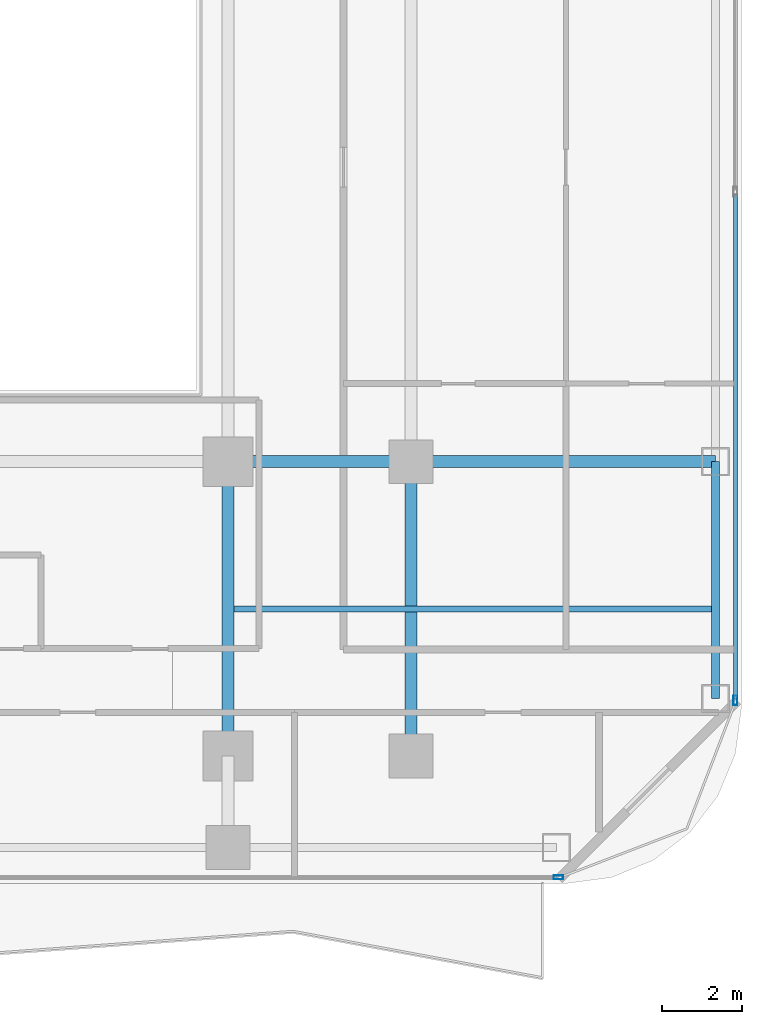
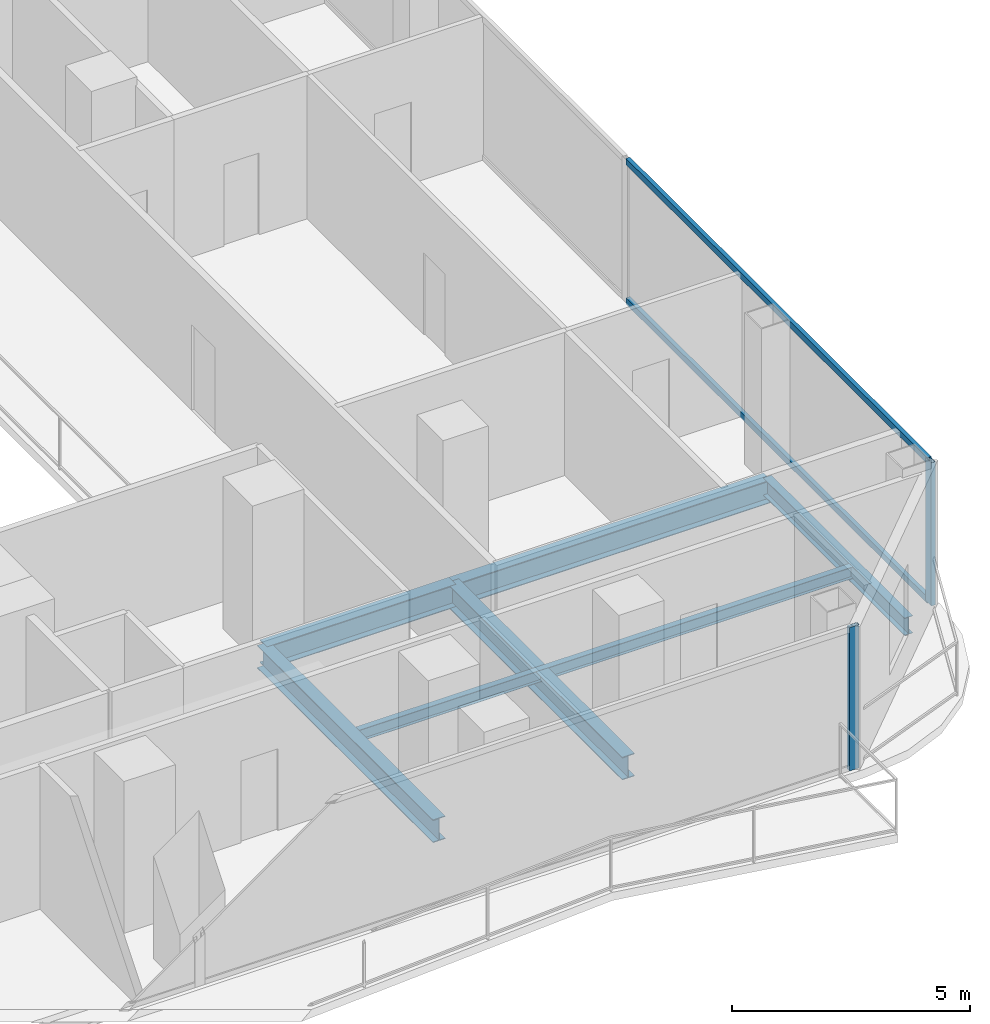
# One storey, part 9 of 26: 6 beams, 4 members, 2 elements without a shape of their own.
"""IFC4 building model written with IfcOpenShell, lengths in metres."""

from ifc_helpers import new_model, si_unit, direction, frame, origin, origin_2d, place, context, subcontext, project, spatial, hollow_rectangle, i_section, extrude, material, layer, layer_set, material_profile, profile_set, type_object, element, aggregate, save


model = new_model("IFC4")

# Units and contexts
model_context = context("Model", 3, precision=1e-05, world=origin(), true_north=direction((0.0, 1.0)))
body_context = subcontext(model_context, "Body", "Model", "MODEL_VIEW")
ifc_project = project(units=[si_unit("LENGTHUNIT", "METRE"), si_unit("AREAUNIT", "SQUARE_METRE"), si_unit("VOLUMEUNIT", "CUBIC_METRE"), si_unit("PLANEANGLEUNIT", "RADIAN"), si_unit("MASSUNIT", "GRAM", prefix="KILO")], contexts=[model_context])

# Site, building, storey
site_placement = place(None, origin())
site = spatial("IfcSite", under=ifc_project, at=site_placement, CompositionType="ELEMENT")
building_placement = place(site_placement, origin())
building = spatial("IfcBuilding", under=site, at=building_placement, Name="Khorvyn Point Tower", CompositionType="ELEMENT")
storey_placement = place(building_placement, frame((0.0, 0.0, 113.39990234375)))
storey = spatial("IfcBuildingStorey", under=building, at=storey_placement, Name="L28", CompositionType="ELEMENT", Elevation=113.39990234375)

# Curtain wall, member
ifc_material_1 = material(Name="Anodised aluminium 6063-T6 and laminated Low-E glass", Category="aluminium")
ifc_layer = layer(ifc_material_1, 0.18994140625)
ifc_layer_set = layer_set([ifc_layer], Name="Stick-Built Acoustic Curtain Wall CW-SYS-03")
curtain_wall_type = type_object("IfcCurtainWallType", Name="Stick-Built Acoustic Curtain Wall CW-SYS-03", PredefinedType="NOTDEFINED", material=ifc_layer_set)
curtain_wall_1_placement = place(storey_placement, origin())
curtain_wall_1 = element("IfcCurtainWall", 1, at=curtain_wall_1_placement, inside=storey, type_object=curtain_wall_type, Name="Curtain Wall", PredefinedType="NOTDEFINED")
ifc_material_2 = material(Name="Anodised aluminium 6063-T6", Category="aluminium")
ifc_material_profile_1 = material_profile(ifc_material_2, hollow_rectangle(XDim=0.10009765625, YDim=0.239990234375, WallThickness=0.0048828125, at=origin_2d()))
ifc_profile_set_1 = profile_set([ifc_material_profile_1], Name="Anodised aluminium 6063-T6 ALU-MUL-100x240")
member_type_1 = type_object("IfcMemberType", Name="Anodised Aluminium 6063-T6 Mullion ALU-MUL-100x240", PredefinedType="MULLION", material=ifc_profile_set_1)
member_1_placement = place(storey_placement, frame((23.10009765625, -17.85009765625, 0.0), z_axis=(0.0, 0.0, 1.0), x_axis=(0.0, -1.0, 0.0)))
member_1 = element("IfcMember", 2, at=member_1_placement, type_object=member_type_1, Name="Transom", PredefinedType="MULLION", context=body_context, shape_type="SweptSolid", body=[
    extrude(hollow_rectangle(XDim=0.10009765625, YDim=0.239990234375, WallThickness=0.0048828125, at=origin_2d()), origin(), (0.0, 0.0, 1.0), 3.68017578125),
])
aggregate(curtain_wall_1, [member_1])

# Curtain wall, members
curtain_wall_2_placement = place(storey_placement, origin())
curtain_wall_2 = element("IfcCurtainWall", 3, at=curtain_wall_2_placement, inside=storey, type_object=curtain_wall_type, Name="Curtain Wall", PredefinedType="NOTDEFINED")
member_2_placement = place(storey_placement, frame((27.550048828125, -13.39990234375, 0.0), z_axis=(0.0, 0.0, 1.0), x_axis=(1.0, 0.0, 0.0)))
member_2 = element("IfcMember", 4, at=member_2_placement, type_object=member_type_1, Name="Transom", PredefinedType="MULLION", context=body_context, shape_type="SweptSolid", body=[
    extrude(hollow_rectangle(XDim=0.10009765625, YDim=0.239990234375, WallThickness=0.0048828125, at=origin_2d()), origin(), (0.0, 0.0, 1.0), 3.68017578125),
])
ifc_material_profile_2 = material_profile(ifc_material_2, hollow_rectangle(XDim=0.10009765625, YDim=0.159912109375, WallThickness=0.00439453125, at=origin_2d()))
ifc_profile_set_2 = profile_set([ifc_material_profile_2], Name="Anodised aluminium 6063-T6 ALU-TRN-100x160")
member_type_2 = type_object("IfcMemberType", Name="Anodised Aluminium 6063-T6 Transom ALU-TRN-100x160", PredefinedType="USERDEFINED", material=ifc_profile_set_2)
member_3_placement = place(storey_placement, frame((27.550048828125, -0.666748046875, 0.050048828125), z_axis=(0.0, -1.0, 0.0), x_axis=(1.0, 0.0, 0.0)))
member_3 = element("IfcMember", 5, at=member_3_placement, type_object=member_type_2, Name="Transom", ObjectType="TRANSOM", PredefinedType="USERDEFINED", context=body_context, shape_type="SweptSolid", body=[
    extrude(hollow_rectangle(XDim=0.10009765625, YDim=0.159912109375, WallThickness=0.00439453125, at=origin_2d()), origin(), (0.0, 0.0, 1.0), 12.683349609375),
])
member_4_placement = place(storey_placement, frame((27.550048828125, -0.666748046875, 3.630126953125), z_axis=(0.0, -1.0, 0.0), x_axis=(1.0, 0.0, 0.0)))
member_4 = element("IfcMember", 6, at=member_4_placement, type_object=member_type_2, Name="Transom", ObjectType="TRANSOM", PredefinedType="USERDEFINED", context=body_context, shape_type="SweptSolid", body=[
    extrude(hollow_rectangle(XDim=0.10009765625, YDim=0.159912109375, WallThickness=0.00439453125, at=origin_2d()), origin(), (0.0, 0.0, 1.0), 12.683349609375),
])
aggregate(curtain_wall_2, [member_2, member_3, member_4])

# Beams
ifc_material_3 = material(Name="Steel S355", Category="steel")
ifc_material_profile_3 = material_profile(ifc_material_3, i_section(OverallWidth=0.300048828125, OverallDepth=0.587890625, WebThickness=0.011962890625, FlangeThickness=0.02001953125, at=origin_2d()))
ifc_profile_set_3 = profile_set([ifc_material_profile_3], Name="Steel S355 H588x300x12x20")
beam_type_1 = type_object("IfcBeamType", Name="Steel S355 Beam H588x300x12x20", PredefinedType="BEAM", material=ifc_profile_set_3)
beam_1_placement = place(storey_placement, frame((14.800048828125, -7.39990234375, -0.513916015625), z_axis=(1.0, 0.0, 0.0), x_axis=(0.0, 1.0, 0.0)))
element("IfcBeam", 7, at=beam_1_placement, inside=storey, type_object=beam_type_1, Name="Beam", PredefinedType="BEAM", context=body_context, shape_type="SweptSolid", body=[
    extrude(i_section(OverallWidth=0.300048828125, OverallDepth=0.587890625, WebThickness=0.011962890625, FlangeThickness=0.02001953125, at=origin_2d()), origin(), (0.0, 0.0, 1.0), 4.599853515625),
])
beam_2_placement = place(storey_placement, frame((19.39990234375, -7.39990234375, -0.513916015625), z_axis=(1.0, 0.0, 0.0), x_axis=(0.0, 1.0, 0.0)))
element("IfcBeam", 8, at=beam_2_placement, inside=storey, type_object=beam_type_1, Name="Beam", PredefinedType="BEAM", context=body_context, shape_type="SweptSolid", body=[
    extrude(i_section(OverallWidth=0.300048828125, OverallDepth=0.587890625, WebThickness=0.011962890625, FlangeThickness=0.02001953125, at=origin_2d()), origin(), (0.0, 0.0, 1.0), 7.650146484375),
])
for number, where, z_axis, x_axis, name in (
    (9, (14.800048828125, -14.800048828125, -0.513916015625), (0.0, 1.0, 0.0), (-1.0, 0.0, 0.0), "Beam"),
    (10, (19.39990234375, -14.800048828125, -0.513916015625), (0.0, 1.0, 0.0), (-1.0, 0.0, 0.0), "Beam"),
):
    element("IfcBeam", number, at=place(storey_placement, frame(where, z_axis=z_axis, x_axis=x_axis)), inside=storey, type_object=beam_type_1, Name=name, PredefinedType="BEAM", context=body_context, shape_type="SweptSolid", body=[
        extrude(i_section(OverallWidth=0.300048828125, OverallDepth=0.587890625, WebThickness=0.011962890625, FlangeThickness=0.02001953125, at=origin_2d()), origin(), (0.0, 0.0, 1.0), 7.400146484375),
    ])
ifc_material_profile_4 = material_profile(ifc_material_3, i_section(OverallWidth=0.14990234375, OverallDepth=0.300048828125, WebThickness=0.006591796875, FlangeThickness=0.009033203125, at=origin_2d()))
ifc_profile_set_4 = profile_set([ifc_material_profile_4], Name="Steel S355 H300x150x6.5x9")
beam_type_2 = type_object("IfcBeamType", Name="Steel S355 Joist H300x150x6.5x9", PredefinedType="JOIST", material=ifc_profile_set_4)
beam_3_placement = place(storey_placement, frame((14.949951171875, -11.10009765625, -0.369873046875), z_axis=(1.0, 0.0, 0.0), x_axis=(0.0, 1.0, 0.0)))
element("IfcBeam", 11, at=beam_3_placement, inside=storey, type_object=beam_type_2, Name="Beam", PredefinedType="JOIST", context=body_context, shape_type="SweptSolid", body=[
    extrude(i_section(OverallWidth=0.14990234375, OverallDepth=0.300048828125, WebThickness=0.006591796875, FlangeThickness=0.009033203125, at=origin_2d()), origin(), (0.0, 0.0, 1.0), 12.0),
])
ifc_material_profile_5 = material_profile(ifc_material_3, i_section(OverallWidth=0.199951171875, OverallDepth=0.449951171875, WebThickness=0.009033203125, FlangeThickness=0.013916015625, at=origin_2d()))
ifc_profile_set_5 = profile_set([ifc_material_profile_5], Name="Steel S355 H450x200x9x14")
beam_type_3 = type_object("IfcBeamType", Name="Steel S355 Spandrel H450x200x9x14", PredefinedType="SPANDREL", material=ifc_profile_set_5)
beam_4_placement = place(storey_placement, frame((27.050048828125, -13.35009765625, -0.44482421875), z_axis=(0.0, 1.0, 0.0), x_axis=(-1.0, 0.0, 0.0)))
element("IfcBeam", 12, at=beam_4_placement, inside=storey, type_object=beam_type_3, Name="Beam", PredefinedType="SPANDREL", context=body_context, shape_type="SweptSolid", body=[
    extrude(i_section(OverallWidth=0.199951171875, OverallDepth=0.449951171875, WebThickness=0.009033203125, FlangeThickness=0.013916015625, at=origin_2d()), origin(), (0.0, 0.0, 1.0), 5.9501953125),
])

save(model, "model.ifc")
